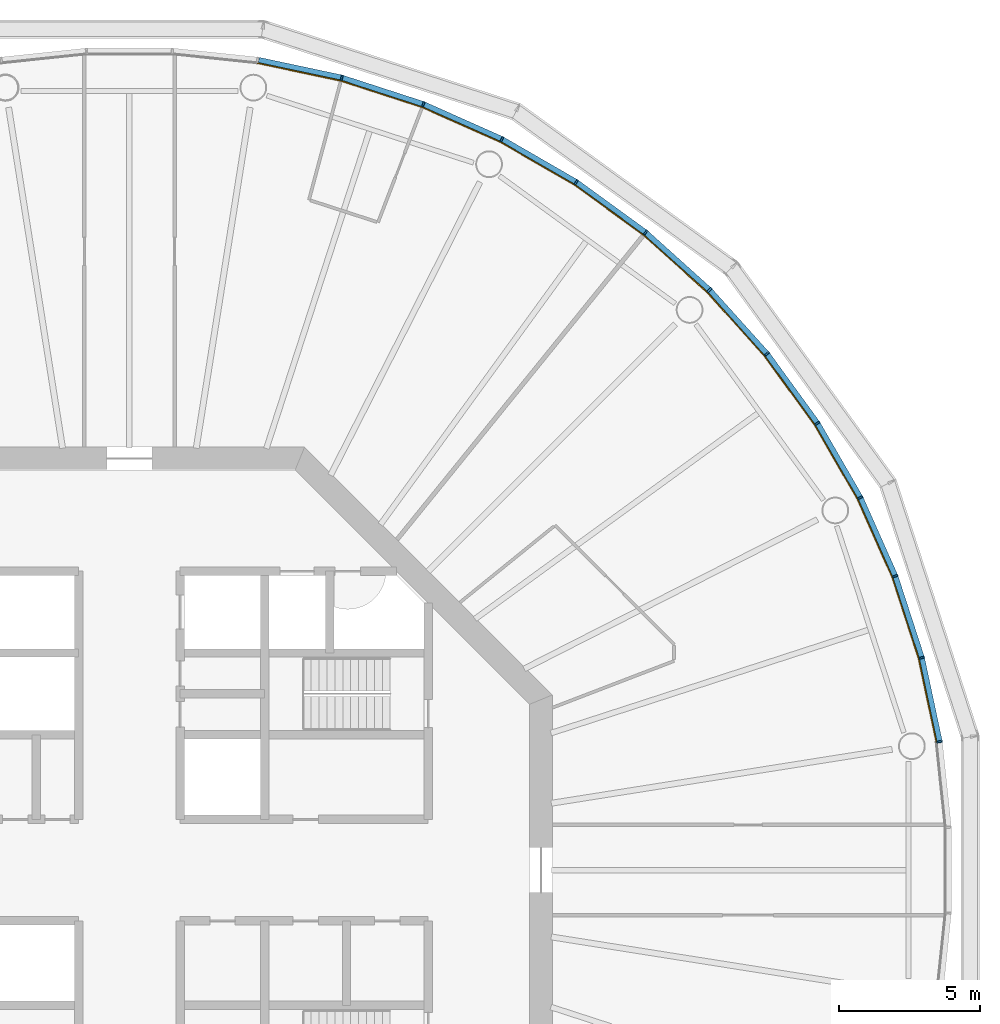
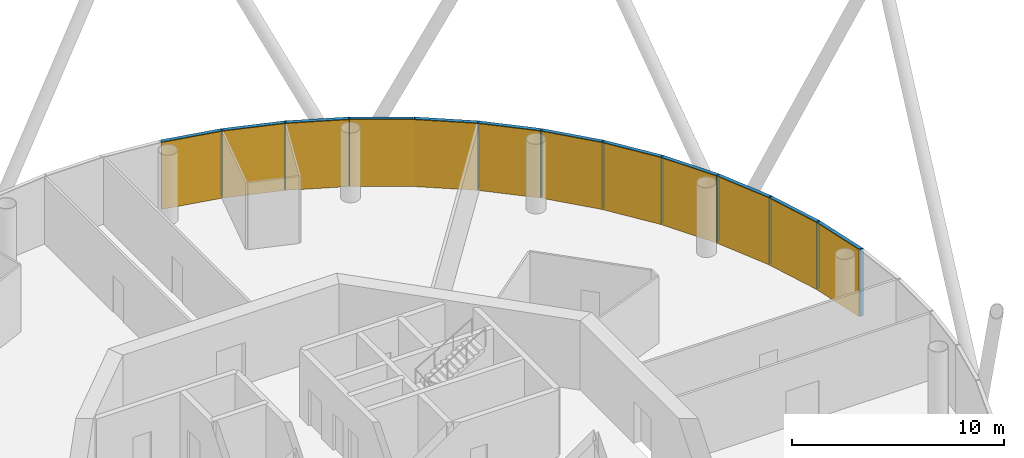
# One storey, part 12 of 13: 24 members, 4 curtain walls.
"""IFC4 building model written with IfcOpenShell, lengths in metres."""

from ifc_helpers import new_model, si_unit, direction, frame, origin, origin_2d, place, context, subcontext, project, spatial, polyline, rectangle, outline, extrude, material, layer, layer_set, material_profile, profile_set, type_object, element, aggregate, save


model = new_model("IFC4")

# Units and contexts
model_context = context("Model", 3, precision=1e-05, world=origin(), true_north=direction((0.0, 1.0)))
body_context = subcontext(model_context, "Body", "Model", "MODEL_VIEW")
ifc_project = project(units=[si_unit("LENGTHUNIT", "METRE"), si_unit("AREAUNIT", "SQUARE_METRE"), si_unit("VOLUMEUNIT", "CUBIC_METRE"), si_unit("PLANEANGLEUNIT", "RADIAN"), si_unit("MASSUNIT", "GRAM", prefix="KILO")], contexts=[model_context])

# Member
ifc_material_1 = material(Name="Anodised aluminium", Category="aluminium")
ifc_material_profile_1 = material_profile(ifc_material_1, rectangle(XDim=0.06494140625, YDim=0.195068359375, at=origin_2d()), Name="Mullion 65 x 195 mm anodised aluminium")
ifc_profile_set_1 = profile_set([ifc_material_profile_1], Name="Anodised aluminium")
member_type_1 = type_object("IfcMemberType", Name="Mullion 65 x 195 mm anodised aluminium", PredefinedType="MULLION", material=ifc_profile_set_1)
site_placement = place(None, origin())
building_placement = place(site_placement, origin())
storey_placement = place(building_placement, frame((0.0, 0.0, 274.0)))
member_1_placement = place(storey_placement, frame((118.7392578125, 84.5517578125, 0.0), z_axis=(0.0, 0.0, 1.0), x_axis=(-0.15643446504, 0.987688340595, 0.0)))
member_1 = element("IfcMember", 1, at=member_1_placement, type_object=member_type_1, Name="MULLION L62-00", PredefinedType="MULLION", context=body_context, shape_type="SweptSolid", body=[
    extrude(rectangle(XDim=0.06494140625, YDim=0.195068359375, at=origin_2d()), origin(), (0.0, 0.0, 1.0), 3.85009765625),
])

member_2_placement = place(storey_placement, frame((118.10595703125, 87.531005859375, 0.0), z_axis=(0.0, 0.0, 1.0), x_axis=(-0.258819045103, 0.965925826289, 0.0)))
member_2 = element("IfcMember", 2, at=member_2_placement, type_object=member_type_1, Name="MULLION L62-01", PredefinedType="MULLION", context=body_context, shape_type="SweptSolid", body=[
    extrude(rectangle(XDim=0.06494140625, YDim=0.195068359375, at=origin_2d()), origin(), (0.0, 0.0, 1.0), 3.85009765625),
])

member_3_placement = place(storey_placement, frame((117.164794921875, 90.427490234375, 0.0), z_axis=(0.0, 0.0, 1.0), x_axis=(-0.358367949545, 0.933580426497, 0.0)))
member_3 = element("IfcMember", 3, at=member_3_placement, type_object=member_type_1, Name="MULLION L62-02", PredefinedType="MULLION", context=body_context, shape_type="SweptSolid", body=[
    extrude(rectangle(XDim=0.06494140625, YDim=0.195068359375, at=origin_2d()), origin(), (0.0, 0.0, 1.0), 3.85009765625),
])

member_4_placement = place(storey_placement, frame((115.926025390625, 93.2099609375, 0.0), z_axis=(0.0, 0.0, 1.0), x_axis=(-0.45399049974, 0.891006524188, 0.0)))
member_4 = element("IfcMember", 4, at=member_4_placement, type_object=member_type_1, Name="MULLION L62-03", PredefinedType="MULLION", context=body_context, shape_type="SweptSolid", body=[
    extrude(rectangle(XDim=0.06494140625, YDim=0.195068359375, at=origin_2d()), origin(), (0.0, 0.0, 1.0), 3.85009765625),
])

member_5_placement = place(storey_placement, frame((114.4033203125, 95.84765625, 0.0), z_axis=(0.0, 0.0, 1.0), x_axis=(-0.544639035015, 0.838670567945, 0.0)))
member_5 = element("IfcMember", 5, at=member_5_placement, type_object=member_type_1, Name="MULLION L62-04", PredefinedType="MULLION", context=body_context, shape_type="SweptSolid", body=[
    extrude(rectangle(XDim=0.06494140625, YDim=0.195068359375, at=origin_2d()), origin(), (0.0, 0.0, 1.0), 3.85009765625),
])

member_6_placement = place(storey_placement, frame((112.613037109375, 98.311767578125, 0.0), z_axis=(0.0, 0.0, 1.0), x_axis=(-0.62932039105, 0.777145961457, 0.0)))
member_6 = element("IfcMember", 6, at=member_6_placement, type_object=member_type_1, Name="MULLION L62-05", PredefinedType="MULLION", context=body_context, shape_type="SweptSolid", body=[
    extrude(rectangle(XDim=0.06494140625, YDim=0.195068359375, at=origin_2d()), origin(), (0.0, 0.0, 1.0), 3.85009765625),
])

member_7_placement = place(storey_placement, frame((110.574951171875, 100.574951171875, 0.0), z_axis=(0.0, 0.0, 1.0), x_axis=(-0.707106781187, 0.707106781187, 0.0)))
member_7 = element("IfcMember", 7, at=member_7_placement, type_object=member_type_1, Name="MULLION L62-06", PredefinedType="MULLION", context=body_context, shape_type="SweptSolid", body=[
    extrude(rectangle(XDim=0.06494140625, YDim=0.195068359375, at=origin_2d()), origin(), (0.0, 0.0, 1.0), 3.85009765625),
])

member_8_placement = place(storey_placement, frame((108.311767578125, 102.613037109375, 0.0), z_axis=(0.0, 0.0, 1.0), x_axis=(-0.777145961457, 0.62932039105, 0.0)))
member_8 = element("IfcMember", 8, at=member_8_placement, type_object=member_type_1, Name="MULLION L62-07", PredefinedType="MULLION", context=body_context, shape_type="SweptSolid", body=[
    extrude(rectangle(XDim=0.06494140625, YDim=0.195068359375, at=origin_2d()), origin(), (0.0, 0.0, 1.0), 3.85009765625),
])

member_9_placement = place(storey_placement, frame((105.84765625, 104.4033203125, 0.0), z_axis=(0.0, 0.0, 1.0), x_axis=(-0.838670567945, 0.544639035015, 0.0)))
member_9 = element("IfcMember", 9, at=member_9_placement, type_object=member_type_1, Name="MULLION L62-08", PredefinedType="MULLION", context=body_context, shape_type="SweptSolid", body=[
    extrude(rectangle(XDim=0.06494140625, YDim=0.195068359375, at=origin_2d()), origin(), (0.0, 0.0, 1.0), 3.85009765625),
])

member_10_placement = place(storey_placement, frame((103.2099609375, 105.926025390625, 0.0), z_axis=(0.0, 0.0, 1.0), x_axis=(-0.891006524188, 0.45399049974, 0.0)))
member_10 = element("IfcMember", 10, at=member_10_placement, type_object=member_type_1, Name="MULLION L62-09", PredefinedType="MULLION", context=body_context, shape_type="SweptSolid", body=[
    extrude(rectangle(XDim=0.06494140625, YDim=0.195068359375, at=origin_2d()), origin(), (0.0, 0.0, 1.0), 3.85009765625),
])

member_11_placement = place(storey_placement, frame((100.427490234375, 107.164794921875, 0.0), z_axis=(0.0, 0.0, 1.0), x_axis=(-0.933580426497, 0.358367949545, 0.0)))
member_11 = element("IfcMember", 11, at=member_11_placement, type_object=member_type_1, Name="MULLION L62-10", PredefinedType="MULLION", context=body_context, shape_type="SweptSolid", body=[
    extrude(rectangle(XDim=0.06494140625, YDim=0.195068359375, at=origin_2d()), origin(), (0.0, 0.0, 1.0), 3.85009765625),
])

member_12_placement = place(storey_placement, frame((97.531005859375, 108.10595703125, 0.0), z_axis=(0.0, 0.0, 1.0), x_axis=(-0.965925826289, 0.258819045103, 0.0)))
member_12 = element("IfcMember", 12, at=member_12_placement, type_object=member_type_1, Name="MULLION L62-11", PredefinedType="MULLION", context=body_context, shape_type="SweptSolid", body=[
    extrude(rectangle(XDim=0.06494140625, YDim=0.195068359375, at=origin_2d()), origin(), (0.0, 0.0, 1.0), 3.85009765625),
])

ifc_material_2 = material(Name="Anodised aluminium", Category="aluminium")
ifc_material_profile_2 = material_profile(ifc_material_2, rectangle(XDim=0.195068359375, YDim=0.179931640625, at=origin_2d()), Name="Transom 180 x 195 mm anodised aluminium")
ifc_profile_set_2 = profile_set([ifc_material_profile_2], Name="Anodised aluminium")
member_type_2 = type_object("IfcMemberType", Name="Transom 180 x 195 mm anodised aluminium", PredefinedType="USERDEFINED", material=ifc_profile_set_2)
member_13_placement = place(storey_placement, frame((118.731689453125, 84.588623046875, 3.760009765625), z_axis=(-0.207940342877, 0.978141510112, 0.0), x_axis=(-0.978141510112, -0.207940342877, 0.0)))
member_13 = element("IfcMember", 13, at=member_13_placement, type_object=member_type_2, Name="TRANSOM L62-00", ObjectType="TRANSOM", PredefinedType="USERDEFINED", context=body_context, shape_type="SweptSolid", body=[
    extrude(rectangle(XDim=0.195068359375, YDim=0.179931640625, at=origin_2d()), origin(), (0.0, 0.0, 1.0), 2.970458984375),
])

member_14_placement = place(storey_placement, frame((118.094482421875, 87.56689453125, 3.760009765625), z_axis=(-0.309043326415, 0.951047960094, 0.0), x_axis=(-0.951047960094, -0.309043326415, 0.0)))
member_14 = element("IfcMember", 14, at=member_14_placement, type_object=member_type_2, Name="TRANSOM L62-01", ObjectType="TRANSOM", PredefinedType="USERDEFINED", context=body_context, shape_type="SweptSolid", body=[
    extrude(rectangle(XDim=0.195068359375, YDim=0.179931640625, at=origin_2d()), origin(), (0.0, 0.0, 1.0), 2.970458984375),
])

member_15_placement = place(storey_placement, frame((117.149658203125, 90.4619140625, 3.760009765625), z_axis=(-0.406725527369, 0.913550406593, 0.0), x_axis=(-0.913550406593, -0.406725527369, 0.0)))
member_15 = element("IfcMember", 15, at=member_15_placement, type_object=member_type_2, Name="TRANSOM L62-02", ObjectType="TRANSOM", PredefinedType="USERDEFINED", context=body_context, shape_type="SweptSolid", body=[
    extrude(rectangle(XDim=0.195068359375, YDim=0.179931640625, at=origin_2d()), origin(), (0.0, 0.0, 1.0), 2.970703125),
])

member_16_placement = place(storey_placement, frame((115.907470703125, 93.24267578125, 3.760009765625), z_axis=(-0.500028367561, 0.866009025146, 0.0), x_axis=(-0.866009025146, -0.500028367561, 0.0)))
member_16 = element("IfcMember", 16, at=member_16_placement, type_object=member_type_2, Name="TRANSOM L62-03", ObjectType="TRANSOM", PredefinedType="USERDEFINED", context=body_context, shape_type="SweptSolid", body=[
    extrude(rectangle(XDim=0.195068359375, YDim=0.179931640625, at=origin_2d()), origin(), (0.0, 0.0, 1.0), 2.970458984375),
])

member_17_placement = place(storey_placement, frame((114.381103515625, 95.878173828125, 3.760009765625), z_axis=(-0.587765987476, 0.809030990733, 0.0), x_axis=(-0.809030990733, -0.587765987476, 0.0)))
member_17 = element("IfcMember", 17, at=member_17_placement, type_object=member_type_2, Name="TRANSOM L62-04", ObjectType="TRANSOM", PredefinedType="USERDEFINED", context=body_context, shape_type="SweptSolid", body=[
    extrude(rectangle(XDim=0.195068359375, YDim=0.179931640625, at=origin_2d()), origin(), (0.0, 0.0, 1.0), 2.97021484375),
])

member_18_placement = place(storey_placement, frame((112.587890625, 98.339599609375, 3.760009765625), z_axis=(-0.669110027395, 0.743163354343, 0.0), x_axis=(-0.743163354343, -0.669110027395, 0.0)))
member_18 = element("IfcMember", 18, at=member_18_placement, type_object=member_type_2, Name="TRANSOM L62-05", ObjectType="TRANSOM", PredefinedType="USERDEFINED", context=body_context, shape_type="SweptSolid", body=[
    extrude(rectangle(XDim=0.195068359375, YDim=0.179931640625, at=origin_2d()), origin(), (0.0, 0.0, 1.0), 2.970458984375),
])

member_19_placement = place(storey_placement, frame((110.547119140625, 100.600341796875, 3.760009765625), z_axis=(-0.743163354343, 0.669110027395, 0.0), x_axis=(-0.669110027395, -0.743163354343, 0.0)))
member_19 = element("IfcMember", 19, at=member_19_placement, type_object=member_type_2, Name="TRANSOM L62-06", ObjectType="TRANSOM", PredefinedType="USERDEFINED", context=body_context, shape_type="SweptSolid", body=[
    extrude(rectangle(XDim=0.195068359375, YDim=0.179931640625, at=origin_2d()), origin(), (0.0, 0.0, 1.0), 2.970458984375),
])

member_20_placement = place(storey_placement, frame((108.28125, 102.63525390625, 3.760009765625), z_axis=(-0.809030990733, 0.587765987476, 0.0), x_axis=(-0.587765987476, -0.809030990733, 0.0)))
member_20 = element("IfcMember", 20, at=member_20_placement, type_object=member_type_2, Name="TRANSOM L62-07", ObjectType="TRANSOM", PredefinedType="USERDEFINED", context=body_context, shape_type="SweptSolid", body=[
    extrude(rectangle(XDim=0.195068359375, YDim=0.179931640625, at=origin_2d()), origin(), (0.0, 0.0, 1.0), 2.97021484375),
])

member_21_placement = place(storey_placement, frame((105.815185546875, 104.422119140625, 3.760009765625), z_axis=(-0.866009025146, 0.500028367561, 0.0), x_axis=(-0.500028367561, -0.866009025146, 0.0)))
member_21 = element("IfcMember", 21, at=member_21_placement, type_object=member_type_2, Name="TRANSOM L62-08", ObjectType="TRANSOM", PredefinedType="USERDEFINED", context=body_context, shape_type="SweptSolid", body=[
    extrude(rectangle(XDim=0.195068359375, YDim=0.179931640625, at=origin_2d()), origin(), (0.0, 0.0, 1.0), 2.970458984375),
])

member_22_placement = place(storey_placement, frame((103.17578125, 105.94140625, 3.760009765625), z_axis=(-0.913550406593, 0.406725527369, 0.0), x_axis=(-0.406725527369, -0.913550406593, 0.0)))
member_22 = element("IfcMember", 22, at=member_22_placement, type_object=member_type_2, Name="TRANSOM L62-09", ObjectType="TRANSOM", PredefinedType="USERDEFINED", context=body_context, shape_type="SweptSolid", body=[
    extrude(rectangle(XDim=0.195068359375, YDim=0.179931640625, at=origin_2d()), origin(), (0.0, 0.0, 1.0), 2.970703125),
])

member_23_placement = place(storey_placement, frame((100.391845703125, 107.176513671875, 3.760009765625), z_axis=(-0.951047960094, 0.309043326415, 0.0), x_axis=(-0.309043326415, -0.951047960094, 0.0)))
member_23 = element("IfcMember", 23, at=member_23_placement, type_object=member_type_2, Name="TRANSOM L62-10", ObjectType="TRANSOM", PredefinedType="USERDEFINED", context=body_context, shape_type="SweptSolid", body=[
    extrude(rectangle(XDim=0.195068359375, YDim=0.179931640625, at=origin_2d()), origin(), (0.0, 0.0, 1.0), 2.970458984375),
])

member_24_placement = place(storey_placement, frame((97.494140625, 108.114013671875, 3.760009765625), z_axis=(-0.978141510112, 0.207940342877, 0.0), x_axis=(-0.207940342877, -0.978141510112, 0.0)))
member_24 = element("IfcMember", 24, at=member_24_placement, type_object=member_type_2, Name="TRANSOM L62-11", ObjectType="TRANSOM", PredefinedType="USERDEFINED", context=body_context, shape_type="SweptSolid", body=[
    extrude(rectangle(XDim=0.195068359375, YDim=0.179931640625, at=origin_2d()), origin(), (0.0, 0.0, 1.0), 2.970458984375),
])

# Site, building, storey
site = spatial("IfcSite", under=ifc_project, at=site_placement, CompositionType="ELEMENT")
building = spatial("IfcBuilding", under=site, at=building_placement, Name="Entoto Ring Tower", CompositionType="ELEMENT")
storey = spatial("IfcBuildingStorey", under=building, at=storey_placement, Name="L62", CompositionType="ELEMENT", Elevation=274.0)

# Curtain wall
ifc_material_3 = material(Name="Clear low-iron glass", Category="glass")
ifc_layer = layer(ifc_material_3, 0.033935546875)
ifc_layer_set = layer_set([ifc_layer], Name="Clear low-iron glass")
curtain_wall_type = type_object("IfcCurtainWallType", Name="Curtain wall system CW5 glazing 34 mm", PredefinedType="NOTDEFINED", material=ifc_layer_set)
curtain_wall_1_placement = place(storey_placement, origin())
curtain_wall_1 = element("IfcCurtainWall", 25, at=curtain_wall_1_placement, inside=storey, type_object=curtain_wall_type, Name="CW5 L62-01", PredefinedType="NOTDEFINED", context=body_context, shape_type="SweptSolid", body=[
    extrude(outline(polyline([(118.64306640625, 84.53662109375), (118.011962890625, 87.505859375), (117.07373046875, 90.392578125), (115.839111328125, 93.165771484375), (115.808837890625, 93.150146484375), (117.0419921875, 90.38037109375), (117.97900390625, 87.496826171875), (118.609375, 84.53125), (118.64306640625, 84.53662109375)])), origin(), (0.0, 0.0, 1.0), 3.85009765625),
])

aggregate(curtain_wall_1, [member_1, member_2, member_3, member_13, member_14, member_15])

curtain_wall_2_placement = place(storey_placement, origin())
curtain_wall_2 = element("IfcCurtainWall", 26, at=curtain_wall_2_placement, inside=storey, type_object=curtain_wall_type, Name="CW5 L62-02", PredefinedType="NOTDEFINED", context=body_context, shape_type="SweptSolid", body=[
    extrude(outline(polyline([(115.839111328125, 93.165771484375), (114.321533203125, 95.79443359375), (112.537353515625, 98.250244140625), (110.506103515625, 100.506103515625), (110.48193359375, 100.48193359375), (112.5107421875, 98.228759765625), (114.29296875, 95.77587890625), (115.808837890625, 93.150146484375), (115.839111328125, 93.165771484375)])), origin(), (0.0, 0.0, 1.0), 3.85009765625),
])

aggregate(curtain_wall_2, [member_4, member_5, member_6, member_16, member_17, member_18])

curtain_wall_3_placement = place(storey_placement, origin())
curtain_wall_3 = element("IfcCurtainWall", 27, at=curtain_wall_3_placement, inside=storey, type_object=curtain_wall_type, Name="CW5 L62-03", PredefinedType="NOTDEFINED", context=body_context, shape_type="SweptSolid", body=[
    extrude(outline(polyline([(110.506103515625, 100.506103515625), (108.250244140625, 102.537353515625), (105.79443359375, 104.321533203125), (103.165771484375, 105.839111328125), (103.150146484375, 105.808837890625), (105.77587890625, 104.29296875), (108.228759765625, 102.5107421875), (110.48193359375, 100.48193359375), (110.506103515625, 100.506103515625)])), origin(), (0.0, 0.0, 1.0), 3.85009765625),
])

aggregate(curtain_wall_3, [member_7, member_8, member_9, member_19, member_20, member_21])

curtain_wall_4_placement = place(storey_placement, origin())
curtain_wall_4 = element("IfcCurtainWall", 28, at=curtain_wall_4_placement, inside=storey, type_object=curtain_wall_type, Name="CW5 L62-04", PredefinedType="NOTDEFINED", context=body_context, shape_type="SweptSolid", body=[
    extrude(outline(polyline([(103.165771484375, 105.839111328125), (100.392578125, 107.07373046875), (97.505859375, 108.011962890625), (94.53662109375, 108.64306640625), (94.53125, 108.609375), (97.496826171875, 107.97900390625), (100.38037109375, 107.0419921875), (103.150146484375, 105.808837890625), (103.165771484375, 105.839111328125)])), origin(), (0.0, 0.0, 1.0), 3.85009765625),
])

aggregate(curtain_wall_4, [member_10, member_11, member_12, member_22, member_23, member_24])

save(model, "model.ifc")
